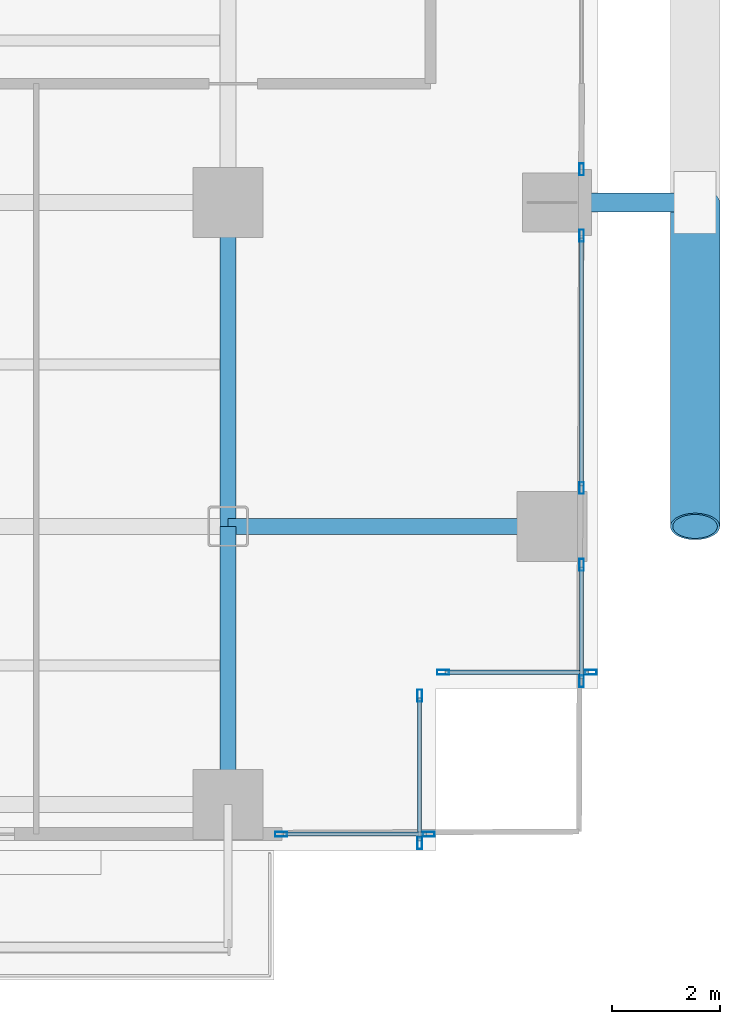
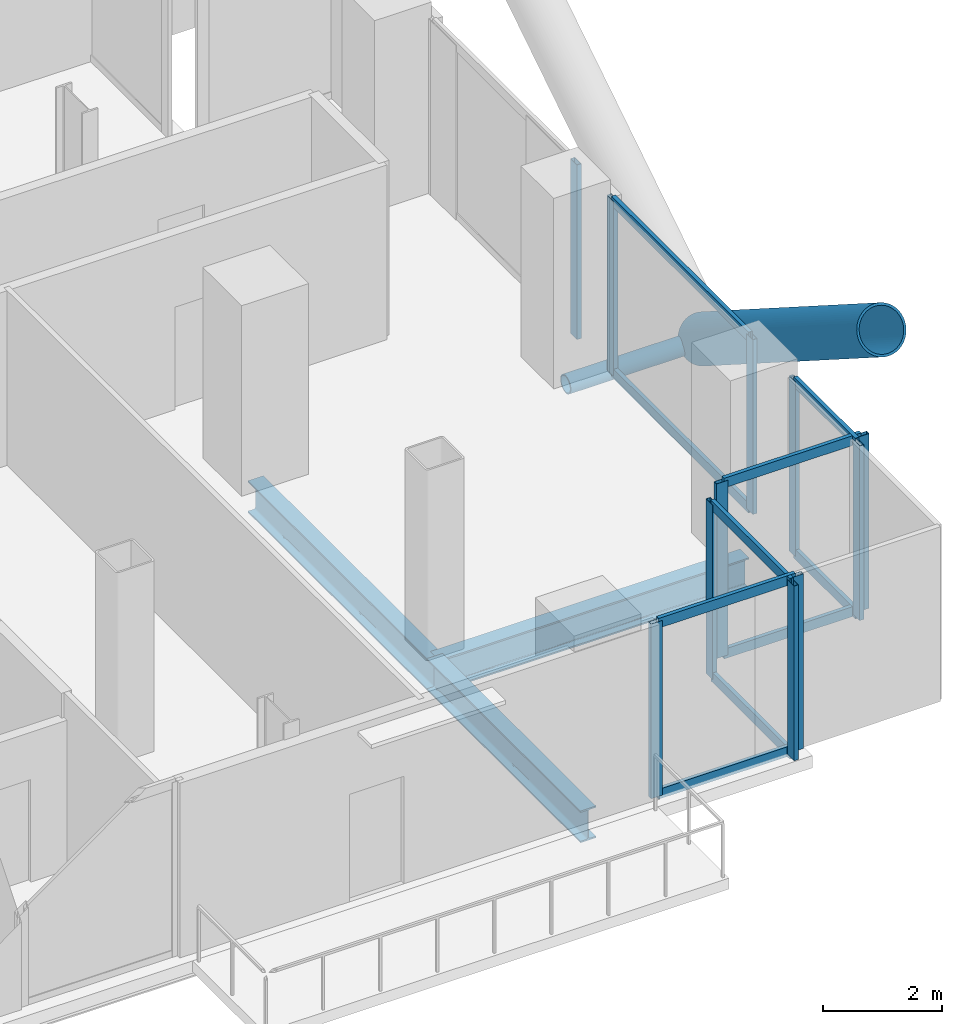
# One storey, part 10 of 27: 23 members, 3 beams, 6 elements without a shape of their own.
"""IFC4 building model written with IfcOpenShell, lengths in metres."""

from ifc_helpers import new_model, si_unit, direction, frame, origin, origin_2d, place, context, subcontext, project, spatial, hollow_rectangle, hollow_circle, i_section, extrude, material, layer, layer_set, material_profile, profile_set, type_object, element, aggregate, save


model = new_model("IFC4")

# Units and contexts
model_context = context("Model", 3, precision=1e-05, world=origin(), true_north=direction((0.0, 1.0)))
body_context = subcontext(model_context, "Body", "Model", "MODEL_VIEW")
ifc_project = project(units=[si_unit("LENGTHUNIT", "METRE"), si_unit("AREAUNIT", "SQUARE_METRE"), si_unit("VOLUMEUNIT", "CUBIC_METRE"), si_unit("PLANEANGLEUNIT", "RADIAN"), si_unit("MASSUNIT", "GRAM", prefix="KILO"), si_unit("THERMODYNAMICTEMPERATUREUNIT", "KELVIN"), si_unit("POWERUNIT", "WATT")], contexts=[model_context])

# Site, building, storey
site_placement = place(None, origin())
site = spatial("IfcSite", under=ifc_project, at=site_placement, CompositionType="ELEMENT")
building_placement = place(site_placement, origin())
building = spatial("IfcBuilding", under=site, at=building_placement, Name="Svarakhadi Broadcast Tower", CompositionType="ELEMENT")
storey_placement = place(building_placement, frame((0.0, 0.0, 90.89990234375)))
storey = spatial("IfcBuildingStorey", under=building, at=storey_placement, Name="L21", CompositionType="ELEMENT", Elevation=90.89990234375)

# Curtain wall, member
ifc_material_1 = material(Name="Anodised Bronze Aluminium AA 6063-T6", Category="aluminium")
ifc_layer = layer(ifc_material_1, 0.219970703125)
ifc_layer_set = layer_set([ifc_layer], Name="Anodised Bronze Aluminium AA 6063-T6")
curtain_wall_type = type_object("IfcCurtainWallType", Name="CW_Sys_02", PredefinedType="NOTDEFINED", material=ifc_layer_set)
curtain_wall_1_placement = place(storey_placement, origin())
curtain_wall_1 = element("IfcCurtainWall", 1, at=curtain_wall_1_placement, inside=storey, type_object=curtain_wall_type, Name="L21 Unitised Facade Curtain Wall 13 Bay 2", PredefinedType="NOTDEFINED")
ifc_material_profile_1 = material_profile(ifc_material_1, hollow_rectangle(XDim=0.0849609375, YDim=0.219970703125, WallThickness=0.006103515625, at=origin_2d()), Name="ALU MULLION 220x85x6")
ifc_profile_set_1 = profile_set([ifc_material_profile_1], Name="Anodised Bronze Aluminium AA 6063-T6")
member_type_1 = type_object("IfcMemberType", Name="CW_Sys_02_Mul", PredefinedType="MULLION", material=ifc_profile_set_1)
member_1_placement = place(storey_placement, frame((53.699951171875, 12.612548828125, 0.0), z_axis=(0.0, 0.0, 1.0), x_axis=(1.0, 0.0, 0.0)))
member_1 = element("IfcMember", 2, at=member_1_placement, type_object=member_type_1, Name="CW-02 mullion 2", PredefinedType="MULLION", context=body_context, shape_type="SweptSolid", body=[
    extrude(hollow_rectangle(XDim=0.0849609375, YDim=0.219970703125, WallThickness=0.006103515625, at=origin_2d()), origin(), (0.0, 0.0, 1.0), 3.5751953125),
])
aggregate(curtain_wall_1, [member_1])

# Curtain wall, members
curtain_wall_2_placement = place(storey_placement, origin())
curtain_wall_2 = element("IfcCurtainWall", 3, at=curtain_wall_2_placement, inside=storey, type_object=curtain_wall_type, Name="L21 Unitised Facade Curtain Wall 13 Bay 3", PredefinedType="NOTDEFINED")
member_2_placement = place(storey_placement, frame((53.699951171875, 11.387451171875, 0.0), z_axis=(0.0, 0.0, 1.0), x_axis=(1.0, 0.0, 0.0)))
member_2 = element("IfcMember", 4, at=member_2_placement, type_object=member_type_1, Name="CW-02 mullion 1", PredefinedType="MULLION", context=body_context, shape_type="SweptSolid", body=[
    extrude(hollow_rectangle(XDim=0.0849609375, YDim=0.219970703125, WallThickness=0.006103515625, at=origin_2d()), origin(), (0.0, 0.0, 1.0), 3.5751953125),
])
member_3_placement = place(storey_placement, frame((53.699951171875, 6.71240234375, 0.0), z_axis=(0.0, 0.0, 1.0), x_axis=(1.0, 0.0, 0.0)))
member_3 = element("IfcMember", 5, at=member_3_placement, type_object=member_type_1, Name="CW-02 mullion 2", PredefinedType="MULLION", context=body_context, shape_type="SweptSolid", body=[
    extrude(hollow_rectangle(XDim=0.0849609375, YDim=0.219970703125, WallThickness=0.006103515625, at=origin_2d()), origin(), (0.0, 0.0, 1.0), 3.5751953125),
])

curtain_wall_3_placement = place(storey_placement, origin())
curtain_wall_3 = element("IfcCurtainWall", 6, at=curtain_wall_3_placement, inside=storey, type_object=curtain_wall_type, Name="L21 Unitised Facade Curtain Wall 13 Bay 4", PredefinedType="NOTDEFINED")
member_4_placement = place(storey_placement, frame((53.699951171875, 5.28759765625, 0.0), z_axis=(0.0, 0.0, 1.0), x_axis=(1.0, 0.0, 0.0)))
member_4 = element("IfcMember", 7, at=member_4_placement, type_object=member_type_1, Name="CW-02 mullion 1", PredefinedType="MULLION", context=body_context, shape_type="SweptSolid", body=[
    extrude(hollow_rectangle(XDim=0.0849609375, YDim=0.219970703125, WallThickness=0.006103515625, at=origin_2d()), origin(), (0.0, 0.0, 1.0), 3.5751953125),
])
member_5_placement = place(storey_placement, frame((53.699951171875, 3.132568359375, 0.0), z_axis=(0.0, 0.0, 1.0), x_axis=(1.0, 0.0, 0.0)))
member_5 = element("IfcMember", 8, at=member_5_placement, type_object=member_type_1, Name="CW-02 mullion 2", PredefinedType="MULLION", context=body_context, shape_type="SweptSolid", body=[
    extrude(hollow_rectangle(XDim=0.0849609375, YDim=0.219970703125, WallThickness=0.006103515625, at=origin_2d()), origin(), (0.0, 0.0, 1.0), 3.5751953125),
])

curtain_wall_4_placement = place(storey_placement, origin())
curtain_wall_4 = element("IfcCurtainWall", 9, at=curtain_wall_4_placement, inside=storey, type_object=curtain_wall_type, Name="L21 Unitised Facade Curtain Wall 14", PredefinedType="NOTDEFINED")
member_6_placement = place(storey_placement, frame((53.867431640625, 3.300048828125, 0.0), z_axis=(0.0, 0.0, 1.0), x_axis=(0.0, -1.0, 0.0)))
member_6 = element("IfcMember", 10, at=member_6_placement, type_object=member_type_1, Name="CW-02 mullion 1", PredefinedType="MULLION", context=body_context, shape_type="SweptSolid", body=[
    extrude(hollow_rectangle(XDim=0.0849609375, YDim=0.219970703125, WallThickness=0.006103515625, at=origin_2d()), origin(), (0.0, 0.0, 1.0), 3.5751953125),
])
member_7_placement = place(storey_placement, frame((51.132568359375, 3.300048828125, 0.0), z_axis=(0.0, 0.0, 1.0), x_axis=(0.0, -1.0, 0.0)))
member_7 = element("IfcMember", 11, at=member_7_placement, type_object=member_type_1, Name="CW-02 mullion 2", PredefinedType="MULLION", context=body_context, shape_type="SweptSolid", body=[
    extrude(hollow_rectangle(XDim=0.0849609375, YDim=0.219970703125, WallThickness=0.006103515625, at=origin_2d()), origin(), (0.0, 0.0, 1.0), 3.5751953125),
])

curtain_wall_5_placement = place(storey_placement, origin())
curtain_wall_5 = element("IfcCurtainWall", 12, at=curtain_wall_5_placement, inside=storey, type_object=curtain_wall_type, Name="L21 Unitised Facade Curtain Wall 15", PredefinedType="NOTDEFINED")
member_8_placement = place(storey_placement, frame((50.699951171875, 2.867431640625, 0.0), z_axis=(0.0, 0.0, 1.0), x_axis=(1.0, 0.0, 0.0)))
member_8 = element("IfcMember", 13, at=member_8_placement, type_object=member_type_1, Name="CW-02 mullion 1", PredefinedType="MULLION", context=body_context, shape_type="SweptSolid", body=[
    extrude(hollow_rectangle(XDim=0.0849609375, YDim=0.219970703125, WallThickness=0.006103515625, at=origin_2d()), origin(), (0.0, 0.0, 1.0), 3.5751953125),
])
member_9_placement = place(storey_placement, frame((50.699951171875, 0.132568359375, 0.0), z_axis=(0.0, 0.0, 1.0), x_axis=(1.0, 0.0, 0.0)))
member_9 = element("IfcMember", 14, at=member_9_placement, type_object=member_type_1, Name="CW-02 mullion 2", PredefinedType="MULLION", context=body_context, shape_type="SweptSolid", body=[
    extrude(hollow_rectangle(XDim=0.0849609375, YDim=0.219970703125, WallThickness=0.006103515625, at=origin_2d()), origin(), (0.0, 0.0, 1.0), 3.5751953125),
])

curtain_wall_6_placement = place(storey_placement, origin())
curtain_wall_6 = element("IfcCurtainWall", 15, at=curtain_wall_6_placement, inside=storey, type_object=curtain_wall_type, Name="L21 South Curtain Wall 16", PredefinedType="NOTDEFINED")
member_10_placement = place(storey_placement, frame((50.867431640625, 0.300048828125, 0.0), z_axis=(0.0, 0.0, 1.0), x_axis=(0.0, -1.0, 0.0)))
member_10 = element("IfcMember", 16, at=member_10_placement, type_object=member_type_1, Name="CW-02 mullion 1", PredefinedType="MULLION", context=body_context, shape_type="SweptSolid", body=[
    extrude(hollow_rectangle(XDim=0.0849609375, YDim=0.219970703125, WallThickness=0.006103515625, at=origin_2d()), origin(), (0.0, 0.0, 1.0), 3.5751953125),
])
member_11_placement = place(storey_placement, frame((48.132568359375, 0.300048828125, 0.0), z_axis=(0.0, 0.0, 1.0), x_axis=(0.0, -1.0, 0.0)))
member_11 = element("IfcMember", 17, at=member_11_placement, type_object=member_type_1, Name="CW-02 mullion 2", PredefinedType="MULLION", context=body_context, shape_type="SweptSolid", body=[
    extrude(hollow_rectangle(XDim=0.0849609375, YDim=0.219970703125, WallThickness=0.006103515625, at=origin_2d()), origin(), (0.0, 0.0, 1.0), 3.5751953125),
])

# Member
ifc_material_profile_2 = material_profile(ifc_material_1, hollow_rectangle(XDim=0.074951171875, YDim=0.199951171875, WallThickness=0.0048828125, at=origin_2d()), Name="ALU TRANSOM 200x75x5")
ifc_profile_set_2 = profile_set([ifc_material_profile_2], Name="Anodised Bronze Aluminium AA 6063-T6")
member_type_2 = type_object("IfcMemberType", Name="CW_Sys_02_Trn", PredefinedType="USERDEFINED", material=ifc_profile_set_2)
member_12_placement = place(storey_placement, frame((53.699951171875, 11.344970703125, 0.03759765625), z_axis=(0.0, -1.0, 0.0), x_axis=(1.0, 0.0, 0.0)))
member_12 = element("IfcMember", 18, at=member_12_placement, type_object=member_type_2, Name="CW-02 transom 1.1", ObjectType="TRANSOM", PredefinedType="USERDEFINED", context=body_context, shape_type="SweptSolid", body=[
    extrude(hollow_rectangle(XDim=0.074951171875, YDim=0.199951171875, WallThickness=0.0048828125, at=origin_2d()), origin(), (0.0, 0.0, 1.0), 4.590087890625),
])

member_13_placement = place(storey_placement, frame((53.699951171875, 11.344970703125, 3.53759765625), z_axis=(0.0, -1.0, 0.0), x_axis=(1.0, 0.0, 0.0)))
member_13 = element("IfcMember", 19, at=member_13_placement, type_object=member_type_2, Name="CW-02 transom 1.2", ObjectType="TRANSOM", PredefinedType="USERDEFINED", context=body_context, shape_type="SweptSolid", body=[
    extrude(hollow_rectangle(XDim=0.074951171875, YDim=0.199951171875, WallThickness=0.0048828125, at=origin_2d()), origin(), (0.0, 0.0, 1.0), 4.590087890625),
])

aggregate(curtain_wall_2, [member_2, member_3, member_12, member_13])

member_14_placement = place(storey_placement, frame((53.699951171875, 5.2451171875, 0.03759765625), z_axis=(0.0, -1.0, 0.0), x_axis=(1.0, 0.0, 0.0)))
member_14 = element("IfcMember", 20, at=member_14_placement, type_object=member_type_2, Name="CW-02 transom 1.1", ObjectType="TRANSOM", PredefinedType="USERDEFINED", context=body_context, shape_type="SweptSolid", body=[
    extrude(hollow_rectangle(XDim=0.074951171875, YDim=0.199951171875, WallThickness=0.0048828125, at=origin_2d()), origin(), (0.0, 0.0, 1.0), 2.070068359375),
])

member_15_placement = place(storey_placement, frame((53.699951171875, 5.2451171875, 3.53759765625), z_axis=(0.0, -1.0, 0.0), x_axis=(1.0, 0.0, 0.0)))
member_15 = element("IfcMember", 21, at=member_15_placement, type_object=member_type_2, Name="CW-02 transom 1.2", ObjectType="TRANSOM", PredefinedType="USERDEFINED", context=body_context, shape_type="SweptSolid", body=[
    extrude(hollow_rectangle(XDim=0.074951171875, YDim=0.199951171875, WallThickness=0.0048828125, at=origin_2d()), origin(), (0.0, 0.0, 1.0), 2.070068359375),
])

aggregate(curtain_wall_3, [member_4, member_5, member_14, member_15])

member_16_placement = place(storey_placement, frame((53.824951171875, 3.300048828125, 0.03759765625), z_axis=(-1.0, 0.0, 0.0), x_axis=(0.0, -1.0, 0.0)))
member_16 = element("IfcMember", 22, at=member_16_placement, type_object=member_type_2, Name="CW-02 transom 1.1", ObjectType="TRANSOM", PredefinedType="USERDEFINED", context=body_context, shape_type="SweptSolid", body=[
    extrude(hollow_rectangle(XDim=0.074951171875, YDim=0.199951171875, WallThickness=0.0048828125, at=origin_2d()), origin(), (0.0, 0.0, 1.0), 2.64990234375),
])

member_17_placement = place(storey_placement, frame((53.824951171875, 3.300048828125, 3.53759765625), z_axis=(-1.0, 0.0, 0.0), x_axis=(0.0, -1.0, 0.0)))
member_17 = element("IfcMember", 23, at=member_17_placement, type_object=member_type_2, Name="CW-02 transom 1.2", ObjectType="TRANSOM", PredefinedType="USERDEFINED", context=body_context, shape_type="SweptSolid", body=[
    extrude(hollow_rectangle(XDim=0.074951171875, YDim=0.199951171875, WallThickness=0.0048828125, at=origin_2d()), origin(), (0.0, 0.0, 1.0), 2.64990234375),
])

aggregate(curtain_wall_4, [member_6, member_7, member_16, member_17])

member_18_placement = place(storey_placement, frame((50.699951171875, 2.824951171875, 0.03759765625), z_axis=(0.0, -1.0, 0.0), x_axis=(1.0, 0.0, 0.0)))
member_18 = element("IfcMember", 24, at=member_18_placement, type_object=member_type_2, Name="CW-02 transom 1.1", ObjectType="TRANSOM", PredefinedType="USERDEFINED", context=body_context, shape_type="SweptSolid", body=[
    extrude(hollow_rectangle(XDim=0.074951171875, YDim=0.199951171875, WallThickness=0.0048828125, at=origin_2d()), origin(), (0.0, 0.0, 1.0), 2.64990234375),
])

member_19_placement = place(storey_placement, frame((50.699951171875, 2.824951171875, 3.53759765625), z_axis=(0.0, -1.0, 0.0), x_axis=(1.0, 0.0, 0.0)))
member_19 = element("IfcMember", 25, at=member_19_placement, type_object=member_type_2, Name="CW-02 transom 1.2", ObjectType="TRANSOM", PredefinedType="USERDEFINED", context=body_context, shape_type="SweptSolid", body=[
    extrude(hollow_rectangle(XDim=0.074951171875, YDim=0.199951171875, WallThickness=0.0048828125, at=origin_2d()), origin(), (0.0, 0.0, 1.0), 2.64990234375),
])

aggregate(curtain_wall_5, [member_8, member_9, member_18, member_19])

member_20_placement = place(storey_placement, frame((50.824951171875, 0.300048828125, 0.03759765625), z_axis=(-1.0, 0.0, 0.0), x_axis=(0.0, -1.0, 0.0)))
member_20 = element("IfcMember", 26, at=member_20_placement, type_object=member_type_2, Name="CW-02 transom 1.1", ObjectType="TRANSOM", PredefinedType="USERDEFINED", context=body_context, shape_type="SweptSolid", body=[
    extrude(hollow_rectangle(XDim=0.074951171875, YDim=0.199951171875, WallThickness=0.0048828125, at=origin_2d()), origin(), (0.0, 0.0, 1.0), 2.64990234375),
])

member_21_placement = place(storey_placement, frame((50.824951171875, 0.300048828125, 3.53759765625), z_axis=(-1.0, 0.0, 0.0), x_axis=(0.0, -1.0, 0.0)))
member_21 = element("IfcMember", 27, at=member_21_placement, type_object=member_type_2, Name="CW-02 transom 1.2", ObjectType="TRANSOM", PredefinedType="USERDEFINED", context=body_context, shape_type="SweptSolid", body=[
    extrude(hollow_rectangle(XDim=0.074951171875, YDim=0.199951171875, WallThickness=0.0048828125, at=origin_2d()), origin(), (0.0, 0.0, 1.0), 2.64990234375),
])

aggregate(curtain_wall_6, [member_10, member_11, member_20, member_21])

# Members
ifc_material_2 = material(Name="Steel S460ML (IS 2062 E450BR)", Category="steel")
ifc_material_profile_3 = material_profile(ifc_material_2, hollow_circle(Radius=0.45703125, WallThickness=0.044921875, at=origin_2d()), Name="CHS 914x45")
ifc_profile_set_3 = profile_set([ifc_material_profile_3], Name="Steel S460ML (IS 2062 E450BR)")
member_type_3 = type_object("IfcMemberType", Name="Exo_Brace_CHS914", PredefinedType="BRACE", material=ifc_profile_set_3)
member_22_placement = place(storey_placement, frame((55.800048828125, 12.0, -0.427734375), z_axis=(0.0, -0.843230308573, 0.53755245949), x_axis=(1.0, 0.0, 0.0)))
element("IfcMember", 28, at=member_22_placement, inside=storey, type_object=member_type_3, Name="L21 Exposed Bronze Exoskeleton Diagonal E10", PredefinedType="BRACE", context=body_context, shape_type="SweptSolid", body=[
    extrude(hollow_circle(Radius=0.45703125, WallThickness=0.044921875, at=origin_2d()), origin(), (0.0, 0.0, 1.0), 7.115478515625),
])
ifc_material_profile_4 = material_profile(ifc_material_2, hollow_circle(Radius=0.177734375, WallThickness=0.02001953125, at=origin_2d()), Name="CHS 355.6x20")
ifc_profile_set_4 = profile_set([ifc_material_profile_4], Name="Steel S460ML (IS 2062 E450BR)")
member_type_4 = type_object("IfcMemberType", Name="Exo_Radial_Strut_Z1", PredefinedType="STRUT", material=ifc_profile_set_4)
member_23_placement = place(storey_placement, frame((55.800048828125, 12.0, -0.427734375), z_axis=(-1.0, 0.0, 0.0), x_axis=(0.0, -1.0, 0.0)))
element("IfcMember", 29, at=member_23_placement, inside=storey, type_object=member_type_4, Name="L21 Exoskeleton Radial Tie Strut E06", PredefinedType="STRUT", context=body_context, shape_type="SweptSolid", body=[
    extrude(hollow_circle(Radius=0.177734375, WallThickness=0.02001953125, at=origin_2d()), origin(), (0.0, 0.0, 1.0), 2.650146484375),
])

# Beams
ifc_material_3 = material(Name="Steel S355J2 (IS 2062 E350C)", Category="steel")
ifc_material_profile_5 = material_profile(ifc_material_3, i_section(OverallWidth=0.300048828125, OverallDepth=0.64990234375, WebThickness=0.01611328125, FlangeThickness=0.031005859375, FilletRadius=0.027099609375, at=origin_2d()), Name="WPB 650x300x225")
ifc_profile_set_5 = profile_set([ifc_material_profile_5], Name="Steel S355J2 (IS 2062 E350C)")
beam_type = type_object("IfcBeamType", Name="Girder_WPB650", PredefinedType="USERDEFINED", material=ifc_profile_set_5)
beam_1_placement = place(storey_placement, frame((47.14990234375, 6.0, -0.574951171875), z_axis=(1.0, 0.0, 0.0), x_axis=(0.0, 1.0, 0.0)))
element("IfcBeam", 30, at=beam_1_placement, inside=storey, type_object=beam_type, Name="L21 Primary E-W Girder G018", ObjectType="GIRDER", PredefinedType="USERDEFINED", context=body_context, shape_type="SweptSolid", body=[
    extrude(i_section(OverallWidth=0.300048828125, OverallDepth=0.64990234375, WebThickness=0.01611328125, FlangeThickness=0.031005859375, FilletRadius=0.027099609375, at=origin_2d()), origin(), (0.0, 0.0, 1.0), 6.0),
])
beam_2_placement = place(storey_placement, frame((47.14990234375, 0.85009765625, -0.574951171875), z_axis=(0.0, 1.0, 0.0), x_axis=(-1.0, 0.0, 0.0)))
element("IfcBeam", 31, at=beam_2_placement, inside=storey, type_object=beam_type, Name="L21 Primary N-S Girder G082", ObjectType="GIRDER", PredefinedType="USERDEFINED", context=body_context, shape_type="SweptSolid", body=[
    extrude(i_section(OverallWidth=0.300048828125, OverallDepth=0.64990234375, WebThickness=0.01611328125, FlangeThickness=0.031005859375, FilletRadius=0.027099609375, at=origin_2d()), origin(), (0.0, 0.0, 1.0), 5.14990234375),
])
beam_3_placement = place(storey_placement, frame((47.14990234375, 6.0, -0.574951171875), z_axis=(0.0, 1.0, 0.0), x_axis=(-1.0, 0.0, 0.0)))
element("IfcBeam", 32, at=beam_3_placement, inside=storey, type_object=beam_type, Name="L21 Primary N-S Girder G083", ObjectType="GIRDER", PredefinedType="USERDEFINED", context=body_context, shape_type="SweptSolid", body=[
    extrude(i_section(OverallWidth=0.300048828125, OverallDepth=0.64990234375, WebThickness=0.01611328125, FlangeThickness=0.031005859375, FilletRadius=0.027099609375, at=origin_2d()), origin(), (0.0, 0.0, 1.0), 6.0),
])

save(model, "model.ifc")
